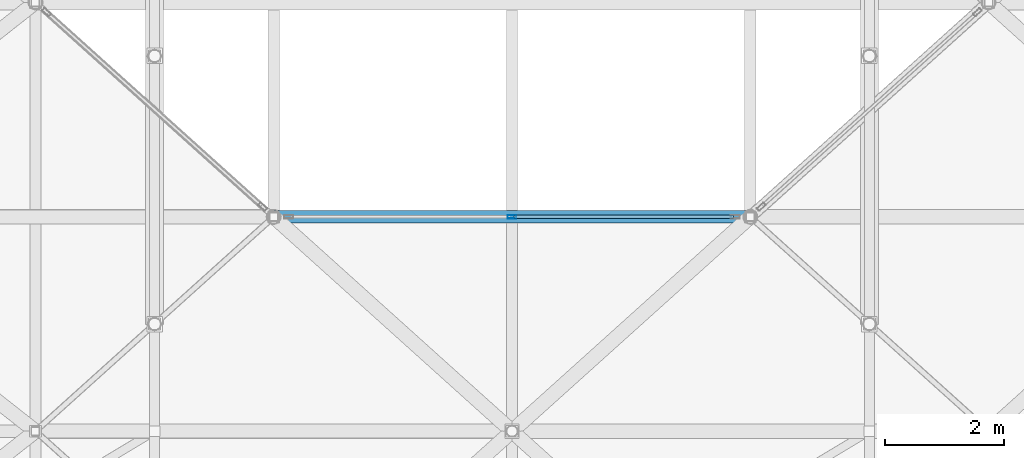
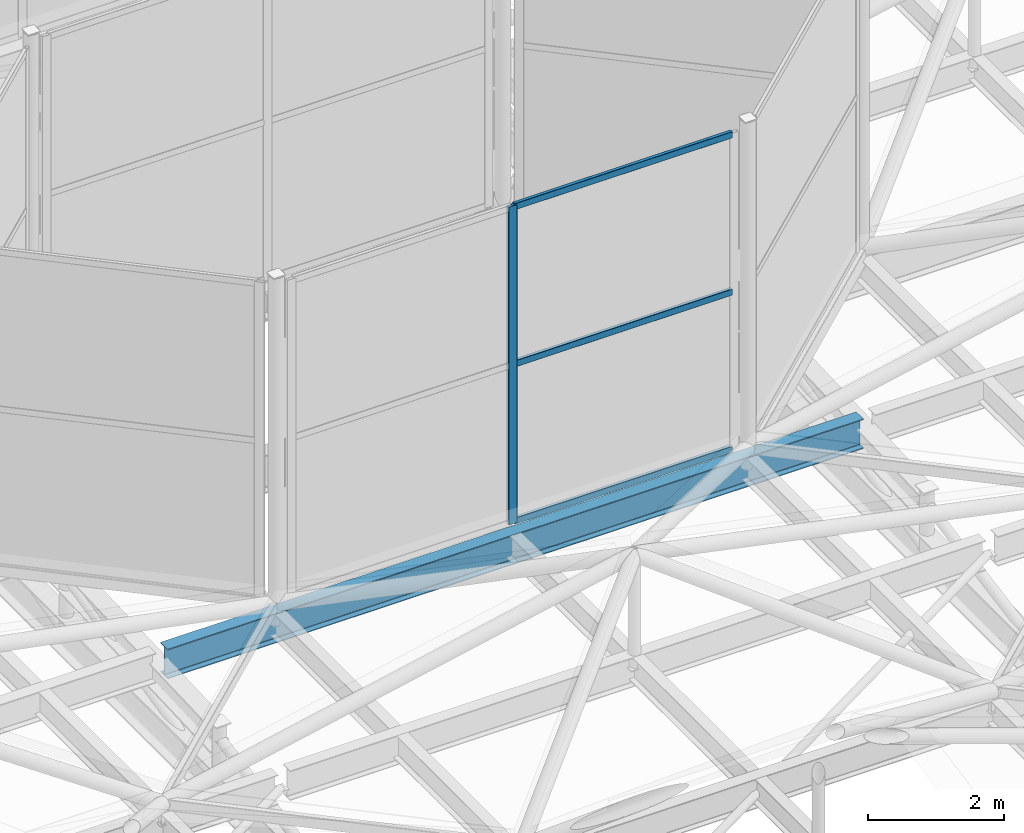
# One storey, part 13 of 239: 4 members, 1 beam, 1 element without a shape of its own.
"""IFC4 building model written with IfcOpenShell, lengths in metres."""

from ifc_helpers import new_model, si_unit, direction, frame, origin, origin_2d, place, context, subcontext, project, spatial, hollow_rectangle, i_section, extrude, material, layer, layer_set, material_profile, profile_set, type_object, element, aggregate, save


model = new_model("IFC4")

# Units and contexts
model_context = context("Model", 3, precision=1e-05, world=origin(), true_north=direction((0.0, 1.0)))
body_context = subcontext(model_context, "Body", "Model", "MODEL_VIEW")
ifc_project = project(units=[si_unit("LENGTHUNIT", "METRE"), si_unit("AREAUNIT", "SQUARE_METRE"), si_unit("VOLUMEUNIT", "CUBIC_METRE"), si_unit("PLANEANGLEUNIT", "RADIAN"), si_unit("MASSUNIT", "GRAM", prefix="KILO")], contexts=[model_context])

# Site, building, storey
site_placement = place(None, origin())
site = spatial("IfcSite", under=ifc_project, at=site_placement, CompositionType="ELEMENT")
building_placement = place(site_placement, origin())
building = spatial("IfcBuilding", under=site, at=building_placement, Name="Dunvalen Ferry Terminal", CompositionType="ELEMENT")
storey_placement = place(building_placement, frame((0.0, 0.0, 9.840087890625)))
storey = spatial("IfcBuildingStorey", under=building, at=storey_placement, Name="L02", CompositionType="ELEMENT", Elevation=9.840087890625)

# Curtain wall, members
ifc_material_1 = material(Name="Anodised marine aluminium and solar-control glazing", Category="aluminium")
ifc_layer = layer(ifc_material_1, 0.179931640625, Name="Anodised marine aluminium and solar-control glazing")
ifc_layer_set = layer_set([ifc_layer], Name="Anodised marine aluminium and solar-control glazing")
curtain_wall_type = type_object("IfcCurtainWallType", Name="ENV-CW-SYS-06", PredefinedType="NOTDEFINED", material=ifc_layer_set)
curtain_wall_placement = place(storey_placement, origin())
curtain_wall = element("IfcCurtainWall", 1, at=curtain_wall_placement, inside=storey, type_object=curtain_wall_type, Name="L02 Curtain Wall CW-HEX-14-SK-2", PredefinedType="NOTDEFINED")
ifc_material_2 = material(Name="Anodised marine aluminium EN AW-6063 T6", Category="aluminium")
ifc_material_profile_1 = material_profile(ifc_material_2, hollow_rectangle(XDim=0.06005859375, YDim=0.14990234375, WallThickness=0.00341796875, InnerFilletRadius=0.00341796875, OuterFilletRadius=0.007080078125, at=origin_2d()), Name="Anodised marine aluminium EN AW-6063 T6")
ifc_profile_set_1 = profile_set([ifc_material_profile_1], Name="Anodised marine aluminium EN AW-6063 T6")
member_type_1 = type_object("IfcMemberType", Name="ENV-CW-MUL-3", PredefinedType="MULLION", material=ifc_profile_set_1)
member_1_placement = place(storey_placement, frame((30.0, 61.199951171875, 1.139892578125), z_axis=(0.0, 0.0, 1.0), x_axis=(0.0, 1.0, 0.0)))
member_1 = element("IfcMember", 2, at=member_1_placement, type_object=member_type_1, Name="CW-06 mullion 2", PredefinedType="MULLION", context=body_context, shape_type="SweptSolid", body=[
    extrude(hollow_rectangle(XDim=0.06005859375, YDim=0.14990234375, WallThickness=0.00341796875, InnerFilletRadius=0.00341796875, OuterFilletRadius=0.007080078125, at=origin_2d()), origin(), (0.0, 0.0, 1.0), 5.699951171875),
])
ifc_material_profile_2 = material_profile(ifc_material_2, hollow_rectangle(XDim=0.06005859375, YDim=0.114990234375, WallThickness=0.0029296875, InnerFilletRadius=0.0029296875, OuterFilletRadius=0.006103515625, at=origin_2d()), Name="Anodised marine aluminium EN AW-6063 T6")
ifc_profile_set_2 = profile_set([ifc_material_profile_2], Name="Anodised marine aluminium EN AW-6063 T6")
member_type_2 = type_object("IfcMemberType", Name="ENV-CW-TRN-3", PredefinedType="USERDEFINED", material=ifc_profile_set_2)
member_2_placement = place(storey_placement, frame((30.030029296875, 61.199951171875, 1.169921875), z_axis=(1.0, 0.0, 0.0), x_axis=(0.0, 1.0, 0.0)))
member_2 = element("IfcMember", 3, at=member_2_placement, type_object=member_type_2, Name="CW-06 transom 2.1", ObjectType="TRANSOM", PredefinedType="USERDEFINED", context=body_context, shape_type="SweptSolid", body=[
    extrude(hollow_rectangle(XDim=0.06005859375, YDim=0.114990234375, WallThickness=0.0029296875, InnerFilletRadius=0.0029296875, OuterFilletRadius=0.006103515625, at=origin_2d()), origin(), (0.0, 0.0, 1.0), 3.68994140625),
])
member_3_placement = place(storey_placement, frame((30.030029296875, 61.199951171875, 3.989990234375), z_axis=(1.0, 0.0, 0.0), x_axis=(0.0, 1.0, 0.0)))
member_3 = element("IfcMember", 4, at=member_3_placement, type_object=member_type_2, Name="CW-06 transom 2.2", ObjectType="TRANSOM", PredefinedType="USERDEFINED", context=body_context, shape_type="SweptSolid", body=[
    extrude(hollow_rectangle(XDim=0.06005859375, YDim=0.114990234375, WallThickness=0.0029296875, InnerFilletRadius=0.0029296875, OuterFilletRadius=0.006103515625, at=origin_2d()), origin(), (0.0, 0.0, 1.0), 3.68994140625),
])
member_4_placement = place(storey_placement, frame((30.030029296875, 61.199951171875, 6.809814453125), z_axis=(1.0, 0.0, 0.0), x_axis=(0.0, 1.0, 0.0)))
member_4 = element("IfcMember", 5, at=member_4_placement, type_object=member_type_2, Name="CW-06 transom 2.3", ObjectType="TRANSOM", PredefinedType="USERDEFINED", context=body_context, shape_type="SweptSolid", body=[
    extrude(hollow_rectangle(XDim=0.06005859375, YDim=0.114990234375, WallThickness=0.0029296875, InnerFilletRadius=0.0029296875, OuterFilletRadius=0.006103515625, at=origin_2d()), origin(), (0.0, 0.0, 1.0), 3.68994140625),
])
aggregate(curtain_wall, [member_1, member_2, member_3, member_4])

# Beam
ifc_material_3 = material(Name="Steel S355", Category="steel")
ifc_material_profile_3 = material_profile(ifc_material_3, i_section(OverallWidth=0.209228515625, OverallDepth=0.533203125, WebThickness=0.010009765625, FlangeThickness=0.015625, FilletRadius=0.0126953125, at=origin_2d()), Name="Steel S355")
ifc_profile_set_3 = profile_set([ifc_material_profile_3], Name="Steel S355")
beam_type = type_object("IfcBeamType", Name="STR-BM-UKB533", PredefinedType="BEAM", material=ifc_profile_set_3)
beam_placement = place(storey_placement, frame((24.10009765625, 61.199951171875, 0.7333984375), z_axis=(1.0, 0.0, 0.0), x_axis=(0.0, 1.0, 0.0)))
element("IfcBeam", 6, at=beam_placement, inside=storey, type_object=beam_type, Name="Departure Hall Spine Girder B2.04", PredefinedType="BEAM", context=body_context, shape_type="SweptSolid", body=[
    extrude(i_section(OverallWidth=0.209228515625, OverallDepth=0.533203125, WebThickness=0.010009765625, FlangeThickness=0.015625, FilletRadius=0.0126953125, at=origin_2d()), origin(), (0.0, 0.0, 1.0), 11.7998046875),
])

save(model, "model.ifc")
